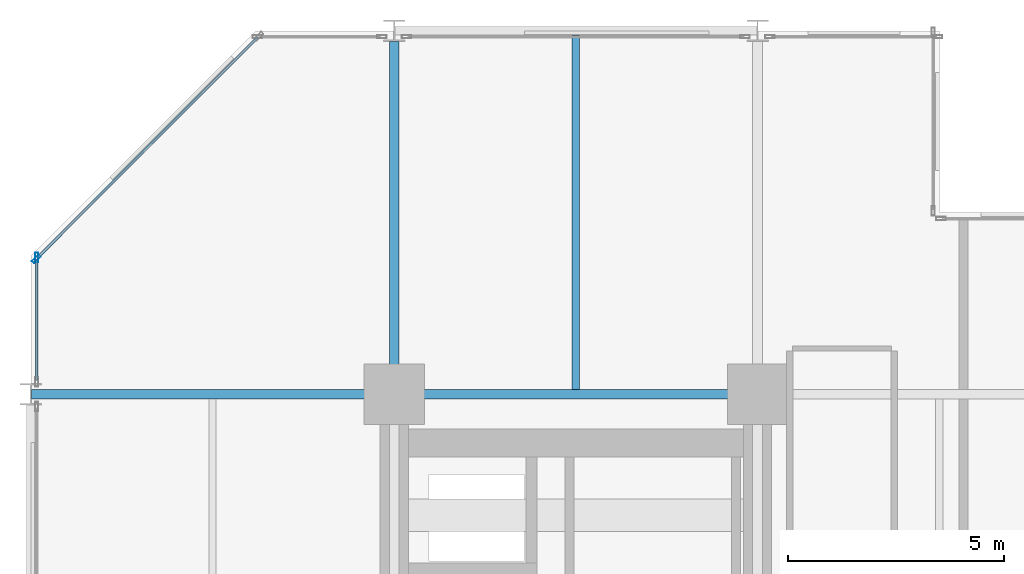
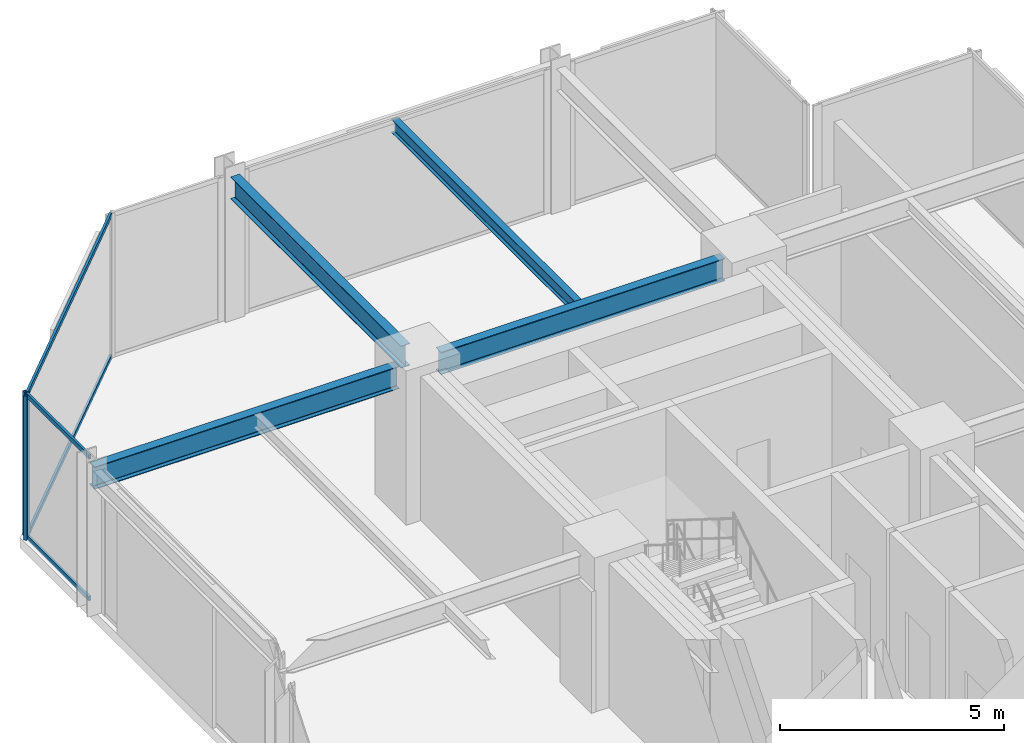
# One storey, part 17 of 26: 6 members, 4 beams, 2 elements without a shape of their own.
"""IFC4 building model written with IfcOpenShell, lengths in metres."""

from ifc_helpers import new_model, si_unit, direction, frame, origin, origin_2d, place, context, subcontext, project, spatial, hollow_rectangle, i_section, extrude, material, layer, layer_set, material_profile, profile_set, type_object, element, aggregate, save


model = new_model("IFC4")

# Units and contexts
model_context = context("Model", 3, precision=1e-05, world=origin(), true_north=direction((0.0, 1.0)))
body_context = subcontext(model_context, "Body", "Model", "MODEL_VIEW")
ifc_project = project(units=[si_unit("LENGTHUNIT", "METRE"), si_unit("AREAUNIT", "SQUARE_METRE"), si_unit("VOLUMEUNIT", "CUBIC_METRE"), si_unit("PLANEANGLEUNIT", "RADIAN"), si_unit("MASSUNIT", "GRAM", prefix="KILO")], contexts=[model_context])

# Site, building, storey
site_placement = place(None, origin())
site = spatial("IfcSite", under=ifc_project, at=site_placement, CompositionType="ELEMENT")
building_placement = place(site_placement, origin())
building = spatial("IfcBuilding", under=site, at=building_placement, Name="Nerrivon Quay Data Exchange", CompositionType="ELEMENT")
storey_placement = place(building_placement, frame((0.0, 0.0, 71.0)))
storey = spatial("IfcBuildingStorey", under=building, at=storey_placement, Name="L16", CompositionType="ELEMENT", Elevation=71.0)

# Beams
ifc_material_1 = material(Name="Steel Grade 350", Category="steel")
ifc_material_profile_1 = material_profile(ifc_material_1, i_section(OverallWidth=0.22900390625, OverallDepth=0.612060546875, WebThickness=0.011962890625, FlangeThickness=0.01953125, FilletRadius=0.013916015625, at=origin_2d()), Name="610UB125")
ifc_profile_set_1 = profile_set([ifc_material_profile_1], Name="Steel Grade 350")
beam_type_1 = type_object("IfcBeamType", Name="BM-G1-610UB125", PredefinedType="BEAM", material=ifc_profile_set_1)
beam_1_placement = place(storey_placement, frame((0.013916015625, 42.0, 3.618896484375), z_axis=(1.0, 0.0, 0.0), x_axis=(0.0, 1.0, 0.0)))
element("IfcBeam", 1, at=beam_1_placement, inside=storey, type_object=beam_type_1, Name="L16 EW Girder Y=42.0 (0.0..8.4)", PredefinedType="BEAM", context=body_context, shape_type="SweptSolid", body=[
    extrude(i_section(OverallWidth=0.22900390625, OverallDepth=0.612060546875, WebThickness=0.011962890625, FlangeThickness=0.01953125, FilletRadius=0.013916015625, at=origin_2d()), origin(), (0.0, 0.0, 1.0), 7.84619140625),
])
beam_2_placement = place(storey_placement, frame((8.93994140625, 42.0, 3.618896484375), z_axis=(1.0, 0.0, 0.0), x_axis=(0.0, 1.0, 0.0)))
element("IfcBeam", 2, at=beam_2_placement, inside=storey, type_object=beam_type_1, Name="L16 EW Girder Y=42.0 (8.4..16.8)", PredefinedType="BEAM", context=body_context, shape_type="SweptSolid", body=[
    extrude(i_section(OverallWidth=0.22900390625, OverallDepth=0.612060546875, WebThickness=0.011962890625, FlangeThickness=0.01953125, FilletRadius=0.013916015625, at=origin_2d()), origin(), (0.0, 0.0, 1.0), 7.320068359375),
])
ifc_material_profile_2 = material_profile(ifc_material_1, i_section(OverallWidth=0.22802734375, OverallDepth=0.60205078125, WebThickness=0.010498046875, FlangeThickness=0.014892578125, FilletRadius=0.013916015625, at=origin_2d()), Name="610UB101")
ifc_profile_set_2 = profile_set([ifc_material_profile_2], Name="Steel Grade 350")
beam_type_2 = type_object("IfcBeamType", Name="BM-G2-610UB101", PredefinedType="BEAM", material=ifc_profile_set_2)
beam_3_placement = place(storey_placement, frame((8.39990234375, 42.5400390625, 3.6240234375), z_axis=(0.0, 1.0, 0.0), x_axis=(-1.0, 0.0, 0.0)))
element("IfcBeam", 3, at=beam_3_placement, inside=storey, type_object=beam_type_2, Name="L16 NS Girder X=8.4 (42.0..50.4)", PredefinedType="BEAM", context=body_context, shape_type="SweptSolid", body=[
    extrude(i_section(OverallWidth=0.22802734375, OverallDepth=0.60205078125, WebThickness=0.010498046875, FlangeThickness=0.014892578125, FilletRadius=0.013916015625, at=origin_2d()), origin(), (0.0, 0.0, 1.0), 7.60986328125),
])
ifc_material_profile_3 = material_profile(ifc_material_1, i_section(OverallWidth=0.172119140625, OverallDepth=0.35888671875, WebThickness=0.008056640625, FlangeThickness=0.012939453125, FilletRadius=0.011474609375, at=origin_2d()), Name="360UB56.7")
ifc_profile_set_3 = profile_set([ifc_material_profile_3], Name="Steel Grade 350")
beam_type_3 = type_object("IfcBeamType", Name="BM-J3-360UB57", PredefinedType="JOIST", material=ifc_profile_set_3)
beam_4_placement = place(storey_placement, frame((12.60009765625, 42.114501953125, 3.74560546875), z_axis=(0.0, 1.0, 0.0), x_axis=(-1.0, 0.0, 0.0)))
element("IfcBeam", 4, at=beam_4_placement, inside=storey, type_object=beam_type_3, Name="L16 Secondary Joist X=12.6 (42.0..50.4)", PredefinedType="JOIST", context=body_context, shape_type="SweptSolid", body=[
    extrude(i_section(OverallWidth=0.172119140625, OverallDepth=0.35888671875, WebThickness=0.008056640625, FlangeThickness=0.012939453125, FilletRadius=0.011474609375, at=origin_2d()), origin(), (0.0, 0.0, 1.0), 8.1904296875),
])

# Curtain wall, member
ifc_material_2 = material(Name="Anodised aluminium 6063-T6", Category="aluminium")
ifc_layer = layer(ifc_material_2, 0.219970703125)
ifc_layer_set = layer_set([ifc_layer], Name="Anodised aluminium 6063-T6")
curtain_wall_type = type_object("IfcCurtainWallType", Name="CW-SYS-01", PredefinedType="NOTDEFINED", material=ifc_layer_set)
curtain_wall_1_placement = place(storey_placement, origin())
curtain_wall_1 = element("IfcCurtainWall", 5, at=curtain_wall_1_placement, inside=storey, type_object=curtain_wall_type, Name="L16 Unitised Curtain Wall 22", PredefinedType="NOTDEFINED")
ifc_material_profile_4 = material_profile(ifc_material_2, hollow_rectangle(XDim=0.074951171875, YDim=0.219970703125, WallThickness=0.00390625, at=origin_2d()), Name="ALU-MULL-220x75")
ifc_profile_set_4 = profile_set([ifc_material_profile_4], Name="Anodised aluminium 6063-T6")
member_type_1 = type_object("IfcMemberType", Name="CWM-220x75", PredefinedType="MULLION", material=ifc_profile_set_4)
member_1_placement = place(storey_placement, frame((0.139892578125, 45.16259765625, 0.0), z_axis=(0.0, 0.0, 1.0), x_axis=(-1.0, 0.0, 0.0)))
member_1 = element("IfcMember", 6, at=member_1_placement, type_object=member_type_1, Name="CW01 mullion 2", PredefinedType="MULLION", context=body_context, shape_type="SweptSolid", body=[
    extrude(hollow_rectangle(XDim=0.074951171875, YDim=0.219970703125, WallThickness=0.00390625, at=origin_2d()), origin(), (0.0, 0.0, 1.0), 3.925048828125),
])

curtain_wall_2_placement = place(storey_placement, origin())
curtain_wall_2 = element("IfcCurtainWall", 7, at=curtain_wall_2_placement, inside=storey, type_object=curtain_wall_type, Name="L16 Unitised Curtain Wall 23", PredefinedType="NOTDEFINED")
member_2_placement = place(storey_placement, frame((0.12548828125, 45.12744140625, 0.0), z_axis=(0.0, 0.0, 1.0), x_axis=(-0.707106781187, 0.707106781187, 0.0)))
member_2 = element("IfcMember", 8, at=member_2_placement, type_object=member_type_1, Name="CW01 mullion 1", PredefinedType="MULLION", context=body_context, shape_type="SweptSolid", body=[
    extrude(hollow_rectangle(XDim=0.074951171875, YDim=0.219970703125, WallThickness=0.00390625, at=origin_2d()), origin(), (0.0, 0.0, 1.0), 3.925048828125),
])

# Member
ifc_material_profile_5 = material_profile(ifc_material_2, hollow_rectangle(XDim=0.06005859375, YDim=0.1201171875, WallThickness=0.003173828125, at=origin_2d()), Name="ALU-TRAN-120x60")
ifc_profile_set_5 = profile_set([ifc_material_profile_5], Name="Anodised aluminium 6063-T6")
member_type_2 = type_object("IfcMemberType", Name="CWT-120x60", PredefinedType="USERDEFINED", material=ifc_profile_set_5)
member_3_placement = place(storey_placement, frame((0.139892578125, 42.324951171875, 0.032470703125), z_axis=(0.0, 1.0, 0.0), x_axis=(-1.0, 0.0, 0.0)))
member_3 = element("IfcMember", 9, at=member_3_placement, type_object=member_type_2, Name="CW01 transom 1.1", ObjectType="TRANSOM", PredefinedType="USERDEFINED", context=body_context, shape_type="SweptSolid", body=[
    extrude(hollow_rectangle(XDim=0.06005859375, YDim=0.1201171875, WallThickness=0.003173828125, at=origin_2d()), origin(), (0.0, 0.0, 1.0), 2.800048828125),
])

member_4_placement = place(storey_placement, frame((0.139892578125, 42.324951171875, 3.892578125), z_axis=(0.0, 1.0, 0.0), x_axis=(-1.0, 0.0, 0.0)))
member_4 = element("IfcMember", 10, at=member_4_placement, type_object=member_type_2, Name="CW01 transom 1.2", ObjectType="TRANSOM", PredefinedType="USERDEFINED", context=body_context, shape_type="SweptSolid", body=[
    extrude(hollow_rectangle(XDim=0.06005859375, YDim=0.1201171875, WallThickness=0.003173828125, at=origin_2d()), origin(), (0.0, 0.0, 1.0), 2.800048828125),
])

aggregate(curtain_wall_1, [member_1, member_3, member_4])

member_5_placement = place(storey_placement, frame((0.152099609375, 45.154052734375, 0.032470703125), z_axis=(0.707089835771, 0.707123726196, 0.0), x_axis=(-0.707123726196, 0.707089835771, 0.0)))
member_5 = element("IfcMember", 11, at=member_5_placement, type_object=member_type_2, Name="CW01 transom 1.1", ObjectType="TRANSOM", PredefinedType="USERDEFINED", context=body_context, shape_type="SweptSolid", body=[
    extrude(hollow_rectangle(XDim=0.06005859375, YDim=0.1201171875, WallThickness=0.003173828125, at=origin_2d()), origin(), (0.0, 0.0, 1.0), 7.203857421875),
])

member_6_placement = place(storey_placement, frame((0.152099609375, 45.154052734375, 3.892578125), z_axis=(0.707089835771, 0.707123726196, 0.0), x_axis=(-0.707123726196, 0.707089835771, 0.0)))
member_6 = element("IfcMember", 12, at=member_6_placement, type_object=member_type_2, Name="CW01 transom 1.2", ObjectType="TRANSOM", PredefinedType="USERDEFINED", context=body_context, shape_type="SweptSolid", body=[
    extrude(hollow_rectangle(XDim=0.06005859375, YDim=0.1201171875, WallThickness=0.003173828125, at=origin_2d()), origin(), (0.0, 0.0, 1.0), 7.203857421875),
])

aggregate(curtain_wall_2, [member_2, member_5, member_6])

save(model, "model.ifc")
